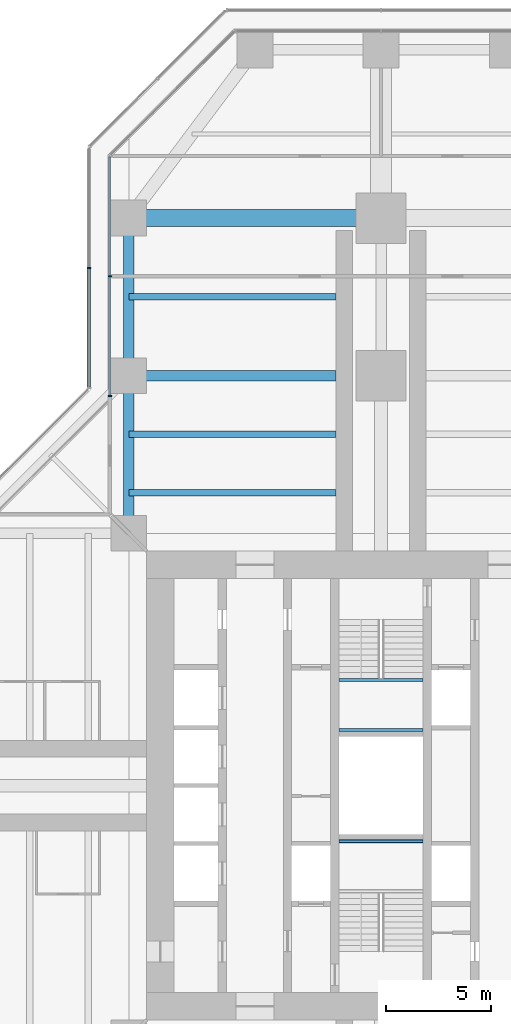
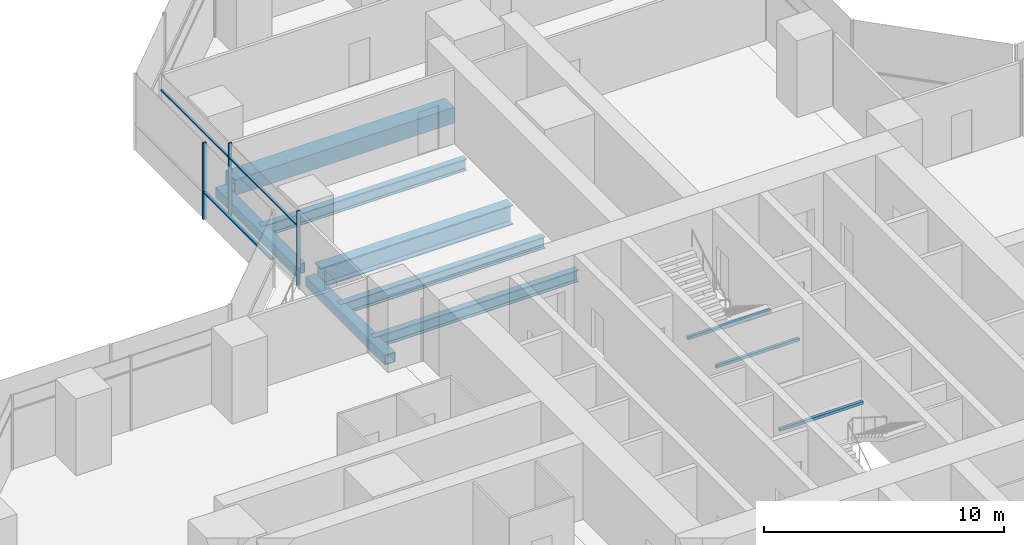
# One storey, part 9 of 22: 10 beams, 6 members, 2 elements without a shape of their own.
"""IFC4 building model written with IfcOpenShell, lengths in metres."""

from ifc_helpers import new_model, si_unit, direction, frame, origin, origin_2d, place, context, subcontext, project, spatial, rectangle, hollow_rectangle, i_section, extrude, material, material_profile, profile_set, type_object, element, aggregate, save


model = new_model("IFC4")

# Units and contexts
model_context = context("Model", 3, precision=1e-05, world=origin(), true_north=direction((0.0, 1.0)))
body_context = subcontext(model_context, "Body", "Model", "MODEL_VIEW")
ifc_project = project(units=[si_unit("LENGTHUNIT", "METRE"), si_unit("AREAUNIT", "SQUARE_METRE"), si_unit("VOLUMEUNIT", "CUBIC_METRE"), si_unit("PLANEANGLEUNIT", "RADIAN"), si_unit("MASSUNIT", "GRAM", prefix="KILO")], contexts=[model_context])

# Site, building, storey
site_placement = place(None, origin())
site = spatial("IfcSite", under=ifc_project, at=site_placement, CompositionType="ELEMENT")
building_placement = place(site_placement, origin())
building = spatial("IfcBuilding", under=site, at=building_placement, Name="Mizan Broadcast Tower", CompositionType="ELEMENT")
storey_placement = place(building_placement, frame((0.0, 0.0, 90.300048828125)))
storey = spatial("IfcBuildingStorey", under=building, at=storey_placement, Name="L19", CompositionType="ELEMENT", Elevation=90.300048828125)

# Beams
ifc_material_1 = material(Name="Steel S355", Category="steel")
ifc_material_profile_1 = material_profile(ifc_material_1, hollow_rectangle(XDim=0.5, YDim=0.5, WallThickness=0.030029296875, at=origin_2d()), Name="BOX 500x500x30")
ifc_profile_set_1 = profile_set([ifc_material_profile_1], Name="Steel S355")
beam_type_1 = type_object("IfcBeamType", Name="EDGE BEAM BOX 500x500x30", PredefinedType="SPANDREL", material=ifc_profile_set_1)
for number, where, z_axis, x_axis, name in (
    (1, (-12.0, 12.449951171875, -0.380126953125), (0.0, 1.0, 0.0), (-1.0, 0.0, 0.0), "Edge beam BOX 500x500x30 L19 north arm"),
    (2, (-12.0, 19.949951171875, -0.380126953125), (0.0, 1.0, 0.0), (-1.0, 0.0, 0.0), "Edge beam BOX 500x500x30 L19 north arm"),
):
    element("IfcBeam", number, at=place(storey_placement, frame(where, z_axis=z_axis, x_axis=x_axis)), inside=storey, type_object=beam_type_1, Name=name, PredefinedType="SPANDREL", context=body_context, shape_type="SweptSolid", body=[
        extrude(hollow_rectangle(XDim=0.5, YDim=0.5, WallThickness=0.030029296875, at=origin_2d()), origin(), (0.0, 0.0, 1.0), 6.60009765625),
    ])
ifc_material_2 = material(Name="Steel S460", Category="steel")
ifc_material_profile_2 = material_profile(ifc_material_2, hollow_rectangle(XDim=0.800048828125, YDim=0.800048828125, WallThickness=0.050048828125, at=origin_2d()), Name="BOX 800x800x50")
ifc_profile_set_2 = profile_set([ifc_material_profile_2], Name="Steel S460")
beam_type_2 = type_object("IfcBeamType", Name="GIRDER BOX 800x800x50", PredefinedType="BEAM", material=ifc_profile_set_2)
beam_1_placement = place(storey_placement, frame((-11.280029296875, 27.0, -0.530029296875), z_axis=(1.0, 0.0, 0.0), x_axis=(0.0, 1.0, 0.0)))
element("IfcBeam", 3, at=beam_1_placement, inside=storey, type_object=beam_type_2, Name="Girder BOX 800x800x50 L19 north arm", PredefinedType="BEAM", context=body_context, shape_type="SweptSolid", body=[
    extrude(hollow_rectangle(XDim=0.800048828125, YDim=0.800048828125, WallThickness=0.050048828125, at=origin_2d()), origin(), (0.0, 0.0, 1.0), 10.56005859375),
])
ifc_material_3 = material(Name="Steel S460", Category="steel")
ifc_material_profile_3 = material_profile(ifc_material_3, i_section(OverallWidth=0.5, OverallDepth=1.0, WebThickness=0.02490234375, FlangeThickness=0.050048828125, at=origin_2d()), Name="WPG 1000x500")
ifc_profile_set_3 = profile_set([ifc_material_profile_3], Name="Steel S460")
beam_type_3 = type_object("IfcBeamType", Name="GIRDER WPG 1000x500", PredefinedType="BEAM", material=ifc_profile_set_3)
beam_2_placement = place(storey_placement, frame((-11.408935546875, 19.5, -0.630126953125), z_axis=(1.0, 0.0, 0.0), x_axis=(0.0, 1.0, 0.0)))
element("IfcBeam", 4, at=beam_2_placement, inside=storey, type_object=beam_type_3, Name="Girder WPG 1000x500 L19 north arm", PredefinedType="BEAM", context=body_context, shape_type="SweptSolid", body=[
    extrude(i_section(OverallWidth=0.5, OverallDepth=1.0, WebThickness=0.02490234375, FlangeThickness=0.050048828125, at=origin_2d()), origin(), (0.0, 0.0, 1.0), 9.259033203125),
])

# Curtain wall, members
ifc_material_4 = material(Name="Aluminium framed glazing", Category="aluminium")
curtain_wall_type_1 = type_object("IfcCurtainWallType", Name="INNER SKIN LOW ZONE", PredefinedType="USERDEFINED", material=ifc_material_4)
curtain_wall_1_placement = place(storey_placement, origin())
curtain_wall_1 = element("IfcCurtainWall", 5, at=curtain_wall_1_placement, inside=storey, type_object=curtain_wall_type_1, Name="Inner skin low zone L19 N side", ObjectType="INNER SKIN LOW ZONE", PredefinedType="USERDEFINED")
ifc_material_5 = material(Name="Aluminium, pale anodised", Category="aluminium")
ifc_material_profile_4 = material_profile(ifc_material_5, rectangle(XDim=0.159912109375, YDim=0.06005859375, at=origin_2d()), Name="MULLION 160x60")
ifc_profile_set_4 = profile_set([ifc_material_profile_4], Name="Aluminium, pale anodised")
member_type_1 = type_object("IfcMemberType", Name="INNER SKIN MULLION 60x160", PredefinedType="MULLION", material=ifc_profile_set_4)
member_1_placement = place(storey_placement, frame((-12.89990234375, 24.229248046875, 0.0), z_axis=(0.0, 0.0, 1.0), x_axis=(1.0, 0.0, 0.0)))
member_1 = element("IfcMember", 6, at=member_1_placement, type_object=member_type_1, Name="Inner skin low zone L19 N side mullion 2", PredefinedType="MULLION", context=body_context, shape_type="SweptSolid", body=[
    extrude(rectangle(XDim=0.159912109375, YDim=0.06005859375, at=origin_2d()), origin(), (0.0, 0.0, 1.0), 3.77001953125),
])
member_2_placement = place(storey_placement, frame((-12.89990234375, 18.530029296875, 0.0), z_axis=(0.0, 0.0, 1.0), x_axis=(1.0, 0.0, 0.0)))
member_2 = element("IfcMember", 7, at=member_2_placement, type_object=member_type_1, Name="Inner skin low zone L19 N side mullion 3", PredefinedType="MULLION", context=body_context, shape_type="SweptSolid", body=[
    extrude(rectangle(XDim=0.159912109375, YDim=0.06005859375, at=origin_2d()), origin(), (0.0, 0.0, 1.0), 3.77001953125),
])
ifc_material_6 = material(Name="Aluminium, pale anodised", Category="aluminium")
ifc_material_profile_5 = material_profile(ifc_material_6, rectangle(XDim=0.1201171875, YDim=0.06005859375, at=origin_2d()), Name="TRANSOM 120x60")
ifc_profile_set_5 = profile_set([ifc_material_profile_5], Name="Aluminium, pale anodised")
member_type_2 = type_object("IfcMemberType", Name="INNER SKIN TRANSOM 60x120", PredefinedType="USERDEFINED", material=ifc_profile_set_5)
member_3_placement = place(storey_placement, frame((-12.89990234375, 29.898681640625, 3.030029296875), z_axis=(0.0, -1.0, 0.0), x_axis=(1.0, 0.0, 0.0)))
member_3 = element("IfcMember", 8, at=member_3_placement, type_object=member_type_2, Name="Inner skin low zone L19 N side transom 1.1", ObjectType="TRANSOM", PredefinedType="USERDEFINED", context=body_context, shape_type="SweptSolid", body=[
    extrude(rectangle(XDim=0.1201171875, YDim=0.06005859375, at=origin_2d()), origin(), (0.0, 0.0, 1.0), 5.639404296875),
])
member_4_placement = place(storey_placement, frame((-12.89990234375, 24.19921875, 3.030029296875), z_axis=(0.0, -1.0, 0.0), x_axis=(1.0, 0.0, 0.0)))
member_4 = element("IfcMember", 9, at=member_4_placement, type_object=member_type_2, Name="Inner skin low zone L19 N side transom 2.1", ObjectType="TRANSOM", PredefinedType="USERDEFINED", context=body_context, shape_type="SweptSolid", body=[
    extrude(rectangle(XDim=0.1201171875, YDim=0.06005859375, at=origin_2d()), origin(), (0.0, 0.0, 1.0), 5.63916015625),
])
aggregate(curtain_wall_1, [member_1, member_2, member_3, member_4])

# Beams
ifc_material_7 = material(Name="Steel S355", Category="steel")
ifc_material_profile_6 = material_profile(ifc_material_7, hollow_rectangle(XDim=0.14990234375, YDim=0.14990234375, WallThickness=0.008056640625, InnerFilletRadius=0.008056640625, OuterFilletRadius=0.011962890625, at=origin_2d()), Name="SHS 150x150x8")
ifc_profile_set_6 = profile_set([ifc_material_profile_6], Name="Steel S355")
beam_type_4 = type_object("IfcBeamType", Name="LANDING TRIMMER SHS 150x150x8", PredefinedType="BEAM", material=ifc_profile_set_6)
for number, where, z_axis, x_axis, name in (
    (10, (-2.0, -2.64990234375, 1.675048828125), (1.0, 0.0, 0.0), (0.0, 1.0, 0.0), "Stair A landing trimmer L19"),
    (11, (2.0, 5.02490234375, 1.675048828125), (-1.0, 0.0, 0.0), (0.0, -1.0, 0.0), "Stair B landing trimmer L19"),
    (12, (2.0, 2.64990234375, 1.675048828125), (-1.0, 0.0, 0.0), (0.0, -1.0, 0.0), "Stair B landing trimmer L19"),
):
    element("IfcBeam", number, at=place(storey_placement, frame(where, z_axis=z_axis, x_axis=x_axis)), inside=storey, type_object=beam_type_4, Name=name, PredefinedType="BEAM", context=body_context, shape_type="SweptSolid", body=[
        extrude(hollow_rectangle(XDim=0.14990234375, YDim=0.14990234375, WallThickness=0.008056640625, InnerFilletRadius=0.008056640625, OuterFilletRadius=0.011962890625, at=origin_2d()), origin(), (0.0, 0.0, 1.0), 4.0),
    ])

# Curtain wall, members
ifc_material_8 = material(Name="Aluminium framed glazing", Category="aluminium")
curtain_wall_type_2 = type_object("IfcCurtainWallType", Name="OUTER SKIN", PredefinedType="USERDEFINED", material=ifc_material_8)
curtain_wall_2_placement = place(storey_placement, origin())
curtain_wall_2 = element("IfcCurtainWall", 13, at=curtain_wall_2_placement, inside=storey, type_object=curtain_wall_type_2, Name="Outer skin L19 N side", ObjectType="OUTER SKIN", PredefinedType="USERDEFINED")
ifc_material_9 = material(Name="Aluminium, pale anodised", Category="aluminium")
ifc_material_profile_7 = material_profile(ifc_material_9, rectangle(XDim=0.159912109375, YDim=0.080078125, at=origin_2d()), Name="MULLION 160x80")
ifc_profile_set_7 = profile_set([ifc_material_profile_7], Name="Aluminium, pale anodised")
member_type_3 = type_object("IfcMemberType", Name="OUTER SKIN MULLION 80x160", PredefinedType="MULLION", material=ifc_profile_set_7)
member_5_placement = place(storey_placement, frame((-13.89990234375, 24.622802734375, 0.0), z_axis=(0.0, 0.0, 1.0), x_axis=(1.0, 0.0, 0.0)))
member_5 = element("IfcMember", 14, at=member_5_placement, type_object=member_type_3, Name="Outer skin L19 N side mullion 2", PredefinedType="MULLION", context=body_context, shape_type="SweptSolid", body=[
    extrude(rectangle(XDim=0.159912109375, YDim=0.080078125, at=origin_2d()), origin(), (0.0, 0.0, 1.0), 3.89990234375),
])
ifc_material_10 = material(Name="Aluminium, pale anodised", Category="aluminium")
ifc_material_profile_8 = material_profile(ifc_material_10, rectangle(XDim=0.159912109375, YDim=0.06005859375, at=origin_2d()), Name="TRANSOM 160x60")
ifc_profile_set_8 = profile_set([ifc_material_profile_8], Name="Aluminium, pale anodised")
member_type_4 = type_object("IfcMemberType", Name="OUTER SKIN TRANSOM 60x160", PredefinedType="USERDEFINED", material=ifc_profile_set_8)
member_6_placement = place(storey_placement, frame((-13.89990234375, 24.582763671875, 1.39990234375), z_axis=(0.0, -1.0, 0.0), x_axis=(1.0, 0.0, 0.0)))
member_6 = element("IfcMember", 15, at=member_6_placement, type_object=member_type_4, Name="Outer skin L19 N side transom 2.1", ObjectType="TRANSOM", PredefinedType="USERDEFINED", context=body_context, shape_type="SweptSolid", body=[
    extrude(rectangle(XDim=0.159912109375, YDim=0.06005859375, at=origin_2d()), origin(), (0.0, 0.0, 1.0), 5.6298828125),
])
aggregate(curtain_wall_2, [member_5, member_6])

# Beams
ifc_material_11 = material(Name="Steel S355", Category="steel")
ifc_material_profile_9 = material_profile(ifc_material_11, i_section(OverallWidth=0.300048828125, OverallDepth=0.590087890625, WebThickness=0.012939453125, FlangeThickness=0.02490234375, FilletRadius=0.027099609375, at=origin_2d()), Name="HEA 600")
ifc_profile_set_9 = profile_set([ifc_material_profile_9], Name="Steel S355")
beam_type_5 = type_object("IfcBeamType", Name="SECONDARY BEAM HEA 600", PredefinedType="JOIST", material=ifc_profile_set_9)
for number, where, z_axis, x_axis, name in (
    (16, (-12.0, 13.933349609375, -0.425048828125), (1.0, 0.0, 0.0), (0.0, 1.0, 0.0), "Secondary beam HEA 600 L19 north arm"),
    (17, (-12.0, 16.716552734375, -0.425048828125), (1.0, 0.0, 0.0), (0.0, 1.0, 0.0), "Secondary beam HEA 600 L19 north arm"),
    (18, (-12.0, 23.25, -0.425048828125), (1.0, 0.0, 0.0), (0.0, 1.0, 0.0), "Secondary beam HEA 600 L19 north arm"),
):
    element("IfcBeam", number, at=place(storey_placement, frame(where, z_axis=z_axis, x_axis=x_axis)), inside=storey, type_object=beam_type_5, Name=name, PredefinedType="JOIST", context=body_context, shape_type="SweptSolid", body=[
        extrude(i_section(OverallWidth=0.300048828125, OverallDepth=0.590087890625, WebThickness=0.012939453125, FlangeThickness=0.02490234375, FilletRadius=0.027099609375, at=origin_2d()), origin(), (0.0, 0.0, 1.0), 9.85009765625),
    ])

save(model, "model.ifc")
